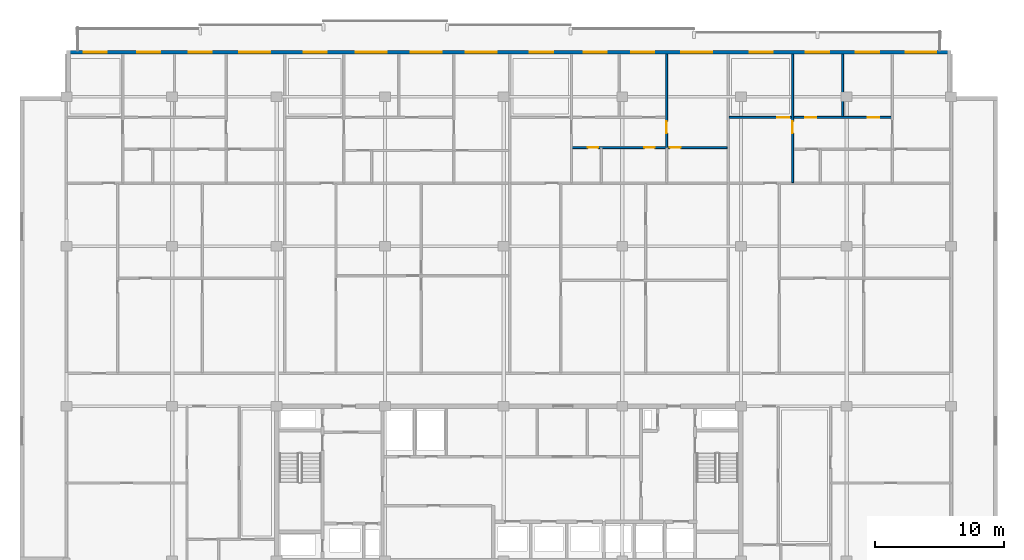
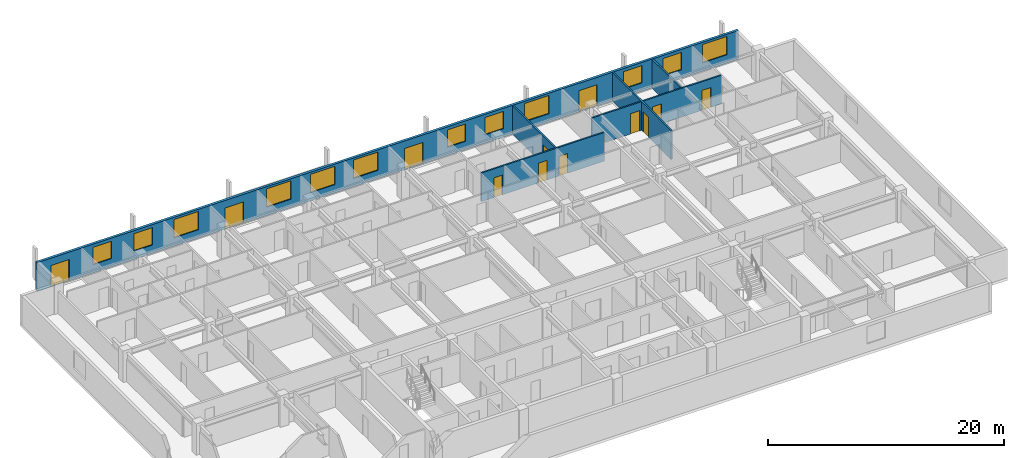
# One storey, part 16 of 24: 12 doors, 12 windows, 6 walls, 24 openings.
"""IFC4 building model written with IfcOpenShell, lengths in metres."""

from ifc_helpers import new_model, si_unit, direction, frame, frame_2d, origin, place, context, subcontext, project, spatial, rectangle, extrude, material, layer, layer_set, type_object, element, fill, save


model = new_model("IFC4")

# Units and contexts
model_context = context("Model", 3, precision=1e-05, world=origin(), true_north=direction((0.0, 1.0)))
body_context = subcontext(model_context, "Body", "Model", "MODEL_VIEW")
ifc_project = project(units=[si_unit("LENGTHUNIT", "METRE"), si_unit("AREAUNIT", "SQUARE_METRE"), si_unit("VOLUMEUNIT", "CUBIC_METRE"), si_unit("PLANEANGLEUNIT", "RADIAN"), si_unit("MASSUNIT", "GRAM", prefix="KILO")], contexts=[model_context])

# Site, building, storey
site_placement = place(None, origin())
site = spatial("IfcSite", under=ifc_project, at=site_placement, CompositionType="ELEMENT")
building_placement = place(site_placement, origin())
building = spatial("IfcBuilding", under=site, at=building_placement, Name="Korimba Cascade Residences", CompositionType="ELEMENT")
storey_placement = place(building_placement, frame((0.0, 0.0, 168.60009765625)))
storey = spatial("IfcBuildingStorey", under=building, at=storey_placement, Name="L48", CompositionType="ELEMENT", Elevation=168.60009765625)

# Wall, openings, doors, windows
ifc_material_1 = material(Name="Precast concrete C40/50", Category="concrete")
ifc_layer_1 = layer(ifc_material_1, 0.25)
ifc_layer_set_1 = layer_set([ifc_layer_1], Name="Precast concrete C40/50")
wall_type_1 = type_object("IfcWallType", Name="EW-LOG-250", PredefinedType="STANDARD", material=ifc_layer_set_1)
wall_1_placement = place(storey_placement, frame((128.39990234375, 94.64990234375, 0.0), z_axis=(0.0, 0.0, 1.0), x_axis=(-1.0, 0.0, 0.0)))
wall_1 = element("IfcWall", 1, at=wall_1_placement, inside=storey, type_object=wall_type_1, Name="L48 T1 Perimeter Stone Wall E06", PredefinedType="STANDARD", context=body_context, shape_type="SweptSolid", body=[
    extrude(rectangle(XDim=68.599853515625, YDim=0.25, at=frame_2d((34.2998046875, 0.0))), origin(), (0.0, 0.0, 1.0), 2.969970703125),
])
opening_1_placement = place(wall_1_placement, frame((61.326416015625, 0.0, 0.85009765625)))
opening_1 = element("IfcOpeningElement", 2, at=opening_1_placement, cuts=wall_1, Name="Opening W-02", PredefinedType="OPENING", context=body_context, shape_type="SweptSolid", body=[
    extrude(rectangle(XDim=1.800048828125, YDim=1.800048828125, at=frame_2d((0.89990234375, 0.89990234375))), frame((0.0, 0.135009765625, 0.0), z_axis=(0.0, -1.0, 0.0), x_axis=(1.0, 0.0, 0.0)), (0.0, 0.0, 1.0), 0.27001953125),
])
opening_2_placement = place(wall_1_placement, frame((57.318603515625, 0.0, 0.85009765625)))
opening_2 = element("IfcOpeningElement", 3, at=opening_2_placement, cuts=wall_1, Name="Opening W-02", PredefinedType="OPENING", context=body_context, shape_type="SweptSolid", body=[
    extrude(rectangle(XDim=1.800048828125, YDim=1.800048828125, at=frame_2d((0.89990234375, 0.89990234375))), frame((0.0, 0.135009765625, 0.0), z_axis=(0.0, -1.0, 0.0), x_axis=(1.0, 0.0, 0.0)), (0.0, 0.0, 1.0), 0.27001953125),
])
opening_3_placement = place(wall_1_placement, frame((65.455078125, 0.0, 0.0)))
opening_3 = element("IfcOpeningElement", 4, at=opening_3_placement, cuts=wall_1, Name="Opening D-LG1", PredefinedType="OPENING", context=body_context, shape_type="SweptSolid", body=[
    extrude(rectangle(XDim=1.800048828125, YDim=2.199951171875, at=frame_2d((0.89990234375, 1.10009765625))), frame((0.0, 0.135009765625, 0.0), z_axis=(0.0, -1.0, 0.0), x_axis=(1.0, 0.0, 0.0)), (0.0, 0.0, 1.0), 0.27001953125),
])
opening_4_placement = place(wall_1_placement, frame((52.7998046875, 0.0, 0.85009765625)))
opening_4 = element("IfcOpeningElement", 5, at=opening_4_placement, cuts=wall_1, Name="Opening W-01", PredefinedType="OPENING", context=body_context, shape_type="SweptSolid", body=[
    extrude(rectangle(XDim=2.39990234375, YDim=1.89990234375, at=frame_2d((1.199951171875, 0.949951171875))), frame((0.0, 0.135009765625, 0.0), z_axis=(0.0, -1.0, 0.0), x_axis=(1.0, 0.0, 0.0)), (0.0, 0.0, 1.0), 0.27001953125),
])
opening_5_placement = place(wall_1_placement, frame((43.75244140625, 0.0, 0.85009765625)))
opening_5 = element("IfcOpeningElement", 6, at=opening_5_placement, cuts=wall_1, Name="Opening W-01", PredefinedType="OPENING", context=body_context, shape_type="SweptSolid", body=[
    extrude(rectangle(XDim=2.39990234375, YDim=1.89990234375, at=frame_2d((1.199951171875, 0.949951171875))), frame((0.0, 0.135009765625, 0.0), z_axis=(0.0, -1.0, 0.0), x_axis=(1.0, 0.0, 0.0)), (0.0, 0.0, 1.0), 0.27001953125),
])
opening_6_placement = place(wall_1_placement, frame((39.487548828125, 0.0, 0.85009765625)))
opening_6 = element("IfcOpeningElement", 7, at=opening_6_placement, cuts=wall_1, Name="Opening W-01", PredefinedType="OPENING", context=body_context, shape_type="SweptSolid", body=[
    extrude(rectangle(XDim=2.39990234375, YDim=1.89990234375, at=frame_2d((1.199951171875, 0.949951171875))), frame((0.0, 0.135009765625, 0.0), z_axis=(0.0, -1.0, 0.0), x_axis=(1.0, 0.0, 0.0)), (0.0, 0.0, 1.0), 0.27001953125),
])
opening_7_placement = place(wall_1_placement, frame((48.414794921875, 0.0, 0.0)))
opening_7 = element("IfcOpeningElement", 8, at=opening_7_placement, cuts=wall_1, Name="Opening D-LG1", PredefinedType="OPENING", context=body_context, shape_type="SweptSolid", body=[
    extrude(rectangle(XDim=1.800048828125, YDim=2.199951171875, at=frame_2d((0.89990234375, 1.10009765625))), frame((0.0, 0.135009765625, 0.0), z_axis=(0.0, -1.0, 0.0), x_axis=(1.0, 0.0, 0.0)), (0.0, 0.0, 1.0), 0.27001953125),
])
opening_8_placement = place(wall_1_placement, frame((35.25, 0.0, 0.85009765625)))
opening_8 = element("IfcOpeningElement", 9, at=opening_8_placement, cuts=wall_1, Name="Opening W-01", PredefinedType="OPENING", context=body_context, shape_type="SweptSolid", body=[
    extrude(rectangle(XDim=2.39990234375, YDim=1.89990234375, at=frame_2d((1.199951171875, 0.949951171875))), frame((0.0, 0.135009765625, 0.0), z_axis=(0.0, -1.0, 0.0), x_axis=(1.0, 0.0, 0.0)), (0.0, 0.0, 1.0), 0.27001953125),
])
opening_9_placement = place(wall_1_placement, frame((26.691162109375, 0.0, 0.85009765625)))
opening_9 = element("IfcOpeningElement", 10, at=opening_9_placement, cuts=wall_1, Name="Opening W-02", PredefinedType="OPENING", context=body_context, shape_type="SweptSolid", body=[
    extrude(rectangle(XDim=1.800048828125, YDim=1.800048828125, at=frame_2d((0.89990234375, 0.89990234375))), frame((0.0, 0.135009765625, 0.0), z_axis=(0.0, -1.0, 0.0), x_axis=(1.0, 0.0, 0.0)), (0.0, 0.0, 1.0), 0.27001953125),
])
opening_10_placement = place(wall_1_placement, frame((23.003662109375, 0.0, 0.85009765625)))
opening_10 = element("IfcOpeningElement", 11, at=opening_10_placement, cuts=wall_1, Name="Opening W-02", PredefinedType="OPENING", context=body_context, shape_type="SweptSolid", body=[
    extrude(rectangle(XDim=1.800048828125, YDim=1.800048828125, at=frame_2d((0.89990234375, 0.89990234375))), frame((0.0, 0.135009765625, 0.0), z_axis=(0.0, -1.0, 0.0), x_axis=(1.0, 0.0, 0.0)), (0.0, 0.0, 1.0), 0.27001953125),
])
opening_11_placement = place(wall_1_placement, frame((30.8701171875, 0.0, 0.0)))
opening_11 = element("IfcOpeningElement", 12, at=opening_11_placement, cuts=wall_1, Name="Opening D-LG1", PredefinedType="OPENING", context=body_context, shape_type="SweptSolid", body=[
    extrude(rectangle(XDim=1.800048828125, YDim=2.199951171875, at=frame_2d((0.89990234375, 1.10009765625))), frame((0.0, 0.135009765625, 0.0), z_axis=(0.0, -1.0, 0.0), x_axis=(1.0, 0.0, 0.0)), (0.0, 0.0, 1.0), 0.27001953125),
])
opening_12_placement = place(wall_1_placement, frame((18.534912109375, 0.0, 0.85009765625)))
opening_12 = element("IfcOpeningElement", 13, at=opening_12_placement, cuts=wall_1, Name="Opening W-01", PredefinedType="OPENING", context=body_context, shape_type="SweptSolid", body=[
    extrude(rectangle(XDim=2.39990234375, YDim=1.89990234375, at=frame_2d((1.199951171875, 0.949951171875))), frame((0.0, 0.135009765625, 0.0), z_axis=(0.0, -1.0, 0.0), x_axis=(1.0, 0.0, 0.0)), (0.0, 0.0, 1.0), 0.27001953125),
])
opening_13_placement = place(wall_1_placement, frame((9.454833984375, 0.0, 0.85009765625)))
opening_13 = element("IfcOpeningElement", 14, at=opening_13_placement, cuts=wall_1, Name="Opening W-02", PredefinedType="OPENING", context=body_context, shape_type="SweptSolid", body=[
    extrude(rectangle(XDim=1.800048828125, YDim=1.800048828125, at=frame_2d((0.89990234375, 0.89990234375))), frame((0.0, 0.135009765625, 0.0), z_axis=(0.0, -1.0, 0.0), x_axis=(1.0, 0.0, 0.0)), (0.0, 0.0, 1.0), 0.27001953125),
])
opening_14_placement = place(wall_1_placement, frame((5.5849609375, 0.0, 0.85009765625)))
opening_14 = element("IfcOpeningElement", 15, at=opening_14_placement, cuts=wall_1, Name="Opening W-02", PredefinedType="OPENING", context=body_context, shape_type="SweptSolid", body=[
    extrude(rectangle(XDim=1.800048828125, YDim=1.800048828125, at=frame_2d((0.89990234375, 0.89990234375))), frame((0.0, 0.135009765625, 0.0), z_axis=(0.0, -1.0, 0.0), x_axis=(1.0, 0.0, 0.0)), (0.0, 0.0, 1.0), 0.27001953125),
])
opening_15_placement = place(wall_1_placement, frame((13.829833984375, 0.0, 0.0)))
opening_15 = element("IfcOpeningElement", 16, at=opening_15_placement, cuts=wall_1, Name="Opening D-LG1", PredefinedType="OPENING", context=body_context, shape_type="SweptSolid", body=[
    extrude(rectangle(XDim=1.800048828125, YDim=2.199951171875, at=frame_2d((0.89990234375, 1.10009765625))), frame((0.0, 0.135009765625, 0.0), z_axis=(0.0, -1.0, 0.0), x_axis=(1.0, 0.0, 0.0)), (0.0, 0.0, 1.0), 0.27001953125),
])
opening_16_placement = place(wall_1_placement, frame((1.135009765625, 0.0, 0.85009765625)))
opening_16 = element("IfcOpeningElement", 17, at=opening_16_placement, cuts=wall_1, Name="Opening W-01", PredefinedType="OPENING", context=body_context, shape_type="SweptSolid", body=[
    extrude(rectangle(XDim=2.39990234375, YDim=1.89990234375, at=frame_2d((1.199951171875, 0.949951171875))), frame((0.0, 0.135009765625, 0.0), z_axis=(0.0, -1.0, 0.0), x_axis=(1.0, 0.0, 0.0)), (0.0, 0.0, 1.0), 0.27001953125),
])
ifc_material_2 = material(Name="Glazed Aluminium Loggia Sliding Door", Category="aluminium")
door_type_1 = type_object("IfcDoorType", Name="DR-EXT-LOG", OperationType="NOTDEFINED", PredefinedType="DOOR", material=ifc_material_2)
door_1_placement = place(opening_3_placement, origin())
door_1 = element("IfcDoor", 18, at=door_1_placement, inside=storey, type_object=door_type_1, Name="L48 T1 Loggia Sliding Door 5", OperationType="SLIDING_TO_LEFT", OverallHeight=2.199951171875, OverallWidth=1.800048828125, PredefinedType="DOOR", context=body_context, shape_type="SweptSolid", body=[
    extrude(rectangle(XDim=1.800048828125, YDim=2.199951171875, at=frame_2d((0.89990234375, 1.10009765625))), frame((0.0, 0.02490234375, 0.0), z_axis=(0.0, -1.0, 0.0), x_axis=(1.0, 0.0, 0.0)), (0.0, 0.0, 1.0), 0.050048828125),
])
fill(opening_3, door_1)
door_2_placement = place(opening_7_placement, origin())
door_2 = element("IfcDoor", 19, at=door_2_placement, inside=storey, type_object=door_type_1, Name="L48 T1 Loggia Sliding Door 9", OperationType="SLIDING_TO_LEFT", OverallHeight=2.199951171875, OverallWidth=1.800048828125, PredefinedType="DOOR", context=body_context, shape_type="SweptSolid", body=[
    extrude(rectangle(XDim=1.800048828125, YDim=2.199951171875, at=frame_2d((0.89990234375, 1.10009765625))), frame((0.0, 0.02490234375, 0.0), z_axis=(0.0, -1.0, 0.0), x_axis=(1.0, 0.0, 0.0)), (0.0, 0.0, 1.0), 0.050048828125),
])
fill(opening_7, door_2)
door_3_placement = place(opening_11_placement, origin())
door_3 = element("IfcDoor", 20, at=door_3_placement, inside=storey, type_object=door_type_1, Name="L48 T1 Loggia Sliding Door 13", OperationType="SLIDING_TO_LEFT", OverallHeight=2.199951171875, OverallWidth=1.800048828125, PredefinedType="DOOR", context=body_context, shape_type="SweptSolid", body=[
    extrude(rectangle(XDim=1.800048828125, YDim=2.199951171875, at=frame_2d((0.89990234375, 1.10009765625))), frame((0.0, 0.02490234375, 0.0), z_axis=(0.0, -1.0, 0.0), x_axis=(1.0, 0.0, 0.0)), (0.0, 0.0, 1.0), 0.050048828125),
])
fill(opening_11, door_3)
door_4_placement = place(opening_15_placement, origin())
door_4 = element("IfcDoor", 21, at=door_4_placement, inside=storey, type_object=door_type_1, Name="L48 T1 Loggia Sliding Door 17", OperationType="SLIDING_TO_LEFT", OverallHeight=2.199951171875, OverallWidth=1.800048828125, PredefinedType="DOOR", context=body_context, shape_type="SweptSolid", body=[
    extrude(rectangle(XDim=1.800048828125, YDim=2.199951171875, at=frame_2d((0.89990234375, 1.10009765625))), frame((0.0, 0.02490234375, 0.0), z_axis=(0.0, -1.0, 0.0), x_axis=(1.0, 0.0, 0.0)), (0.0, 0.0, 1.0), 0.050048828125),
])
fill(opening_15, door_4)
ifc_material_3 = material(Name="Double-Glazed Aluminium Window", Category="aluminium")
window_type_1 = type_object("IfcWindowType", Name="WIN-BED-1800", PartitioningType="SINGLE_PANEL", PredefinedType="WINDOW", material=ifc_material_3)
window_1_placement = place(opening_1_placement, origin())
window_1 = element("IfcWindow", 22, at=window_1_placement, inside=storey, type_object=window_type_1, Name="L48 T1 North Facade Window 3", OverallHeight=1.800048828125, OverallWidth=1.800048828125, PartitioningType="SINGLE_PANEL", PredefinedType="WINDOW", context=body_context, shape_type="SweptSolid", body=[
    extrude(rectangle(XDim=1.800048828125, YDim=1.800048828125, at=frame_2d((0.89990234375, 0.89990234375))), frame((0.0, 0.030029296875, 0.0), z_axis=(0.0, -1.0, 0.0), x_axis=(1.0, 0.0, 0.0)), (0.0, 0.0, 1.0), 0.06005859375),
])
fill(opening_1, window_1)
window_2_placement = place(opening_2_placement, origin())
window_2 = element("IfcWindow", 23, at=window_2_placement, inside=storey, type_object=window_type_1, Name="L48 T1 North Facade Window 4", OverallHeight=1.800048828125, OverallWidth=1.800048828125, PartitioningType="SINGLE_PANEL", PredefinedType="WINDOW", context=body_context, shape_type="SweptSolid", body=[
    extrude(rectangle(XDim=1.800048828125, YDim=1.800048828125, at=frame_2d((0.89990234375, 0.89990234375))), frame((0.0, 0.030029296875, 0.0), z_axis=(0.0, -1.0, 0.0), x_axis=(1.0, 0.0, 0.0)), (0.0, 0.0, 1.0), 0.06005859375),
])
fill(opening_2, window_2)
window_3_placement = place(opening_9_placement, origin())
window_3 = element("IfcWindow", 24, at=window_3_placement, inside=storey, type_object=window_type_1, Name="L48 T1 North Facade Window 11", OverallHeight=1.800048828125, OverallWidth=1.800048828125, PartitioningType="SINGLE_PANEL", PredefinedType="WINDOW", context=body_context, shape_type="SweptSolid", body=[
    extrude(rectangle(XDim=1.800048828125, YDim=1.800048828125, at=frame_2d((0.89990234375, 0.89990234375))), frame((0.0, 0.030029296875, 0.0), z_axis=(0.0, -1.0, 0.0), x_axis=(1.0, 0.0, 0.0)), (0.0, 0.0, 1.0), 0.06005859375),
])
fill(opening_9, window_3)
window_4_placement = place(opening_10_placement, origin())
window_4 = element("IfcWindow", 25, at=window_4_placement, inside=storey, type_object=window_type_1, Name="L48 T1 North Facade Window 12", OverallHeight=1.800048828125, OverallWidth=1.800048828125, PartitioningType="SINGLE_PANEL", PredefinedType="WINDOW", context=body_context, shape_type="SweptSolid", body=[
    extrude(rectangle(XDim=1.800048828125, YDim=1.800048828125, at=frame_2d((0.89990234375, 0.89990234375))), frame((0.0, 0.030029296875, 0.0), z_axis=(0.0, -1.0, 0.0), x_axis=(1.0, 0.0, 0.0)), (0.0, 0.0, 1.0), 0.06005859375),
])
fill(opening_10, window_4)
window_5_placement = place(opening_13_placement, origin())
window_5 = element("IfcWindow", 26, at=window_5_placement, inside=storey, type_object=window_type_1, Name="L48 T1 North Facade Window 15", OverallHeight=1.800048828125, OverallWidth=1.800048828125, PartitioningType="SINGLE_PANEL", PredefinedType="WINDOW", context=body_context, shape_type="SweptSolid", body=[
    extrude(rectangle(XDim=1.800048828125, YDim=1.800048828125, at=frame_2d((0.89990234375, 0.89990234375))), frame((0.0, 0.030029296875, 0.0), z_axis=(0.0, -1.0, 0.0), x_axis=(1.0, 0.0, 0.0)), (0.0, 0.0, 1.0), 0.06005859375),
])
fill(opening_13, window_5)
window_6_placement = place(opening_14_placement, origin())
window_6 = element("IfcWindow", 27, at=window_6_placement, inside=storey, type_object=window_type_1, Name="L48 T1 North Facade Window 16", OverallHeight=1.800048828125, OverallWidth=1.800048828125, PartitioningType="SINGLE_PANEL", PredefinedType="WINDOW", context=body_context, shape_type="SweptSolid", body=[
    extrude(rectangle(XDim=1.800048828125, YDim=1.800048828125, at=frame_2d((0.89990234375, 0.89990234375))), frame((0.0, 0.030029296875, 0.0), z_axis=(0.0, -1.0, 0.0), x_axis=(1.0, 0.0, 0.0)), (0.0, 0.0, 1.0), 0.06005859375),
])
fill(opening_14, window_6)
window_type_2 = type_object("IfcWindowType", Name="WIN-RES-2400", PartitioningType="DOUBLE_PANEL_VERTICAL", PredefinedType="WINDOW", material=ifc_material_3)
window_7_placement = place(opening_4_placement, origin())
window_7 = element("IfcWindow", 28, at=window_7_placement, inside=storey, type_object=window_type_2, Name="L48 T1 North Facade Window 6", OverallHeight=1.89990234375, OverallWidth=2.39990234375, PartitioningType="DOUBLE_PANEL_VERTICAL", PredefinedType="WINDOW", context=body_context, shape_type="SweptSolid", body=[
    extrude(rectangle(XDim=2.39990234375, YDim=1.89990234375, at=frame_2d((1.199951171875, 0.949951171875))), frame((0.0, 0.030029296875, 0.0), z_axis=(0.0, -1.0, 0.0), x_axis=(1.0, 0.0, 0.0)), (0.0, 0.0, 1.0), 0.06005859375),
])
fill(opening_4, window_7)
window_8_placement = place(opening_5_placement, origin())
window_8 = element("IfcWindow", 29, at=window_8_placement, inside=storey, type_object=window_type_2, Name="L48 T1 North Facade Window 7", OverallHeight=1.89990234375, OverallWidth=2.39990234375, PartitioningType="DOUBLE_PANEL_VERTICAL", PredefinedType="WINDOW", context=body_context, shape_type="SweptSolid", body=[
    extrude(rectangle(XDim=2.39990234375, YDim=1.89990234375, at=frame_2d((1.199951171875, 0.949951171875))), frame((0.0, 0.030029296875, 0.0), z_axis=(0.0, -1.0, 0.0), x_axis=(1.0, 0.0, 0.0)), (0.0, 0.0, 1.0), 0.06005859375),
])
fill(opening_5, window_8)
window_9_placement = place(opening_6_placement, origin())
window_9 = element("IfcWindow", 30, at=window_9_placement, inside=storey, type_object=window_type_2, Name="L48 T1 North Facade Window 8", OverallHeight=1.89990234375, OverallWidth=2.39990234375, PartitioningType="DOUBLE_PANEL_VERTICAL", PredefinedType="WINDOW", context=body_context, shape_type="SweptSolid", body=[
    extrude(rectangle(XDim=2.39990234375, YDim=1.89990234375, at=frame_2d((1.199951171875, 0.949951171875))), frame((0.0, 0.030029296875, 0.0), z_axis=(0.0, -1.0, 0.0), x_axis=(1.0, 0.0, 0.0)), (0.0, 0.0, 1.0), 0.06005859375),
])
fill(opening_6, window_9)
window_10_placement = place(opening_8_placement, origin())
window_10 = element("IfcWindow", 31, at=window_10_placement, inside=storey, type_object=window_type_2, Name="L48 T1 North Facade Window 10", OverallHeight=1.89990234375, OverallWidth=2.39990234375, PartitioningType="DOUBLE_PANEL_VERTICAL", PredefinedType="WINDOW", context=body_context, shape_type="SweptSolid", body=[
    extrude(rectangle(XDim=2.39990234375, YDim=1.89990234375, at=frame_2d((1.199951171875, 0.949951171875))), frame((0.0, 0.030029296875, 0.0), z_axis=(0.0, -1.0, 0.0), x_axis=(1.0, 0.0, 0.0)), (0.0, 0.0, 1.0), 0.06005859375),
])
fill(opening_8, window_10)
window_11_placement = place(opening_12_placement, origin())
window_11 = element("IfcWindow", 32, at=window_11_placement, inside=storey, type_object=window_type_2, Name="L48 T1 North Facade Window 14", OverallHeight=1.89990234375, OverallWidth=2.39990234375, PartitioningType="DOUBLE_PANEL_VERTICAL", PredefinedType="WINDOW", context=body_context, shape_type="SweptSolid", body=[
    extrude(rectangle(XDim=2.39990234375, YDim=1.89990234375, at=frame_2d((1.199951171875, 0.949951171875))), frame((0.0, 0.030029296875, 0.0), z_axis=(0.0, -1.0, 0.0), x_axis=(1.0, 0.0, 0.0)), (0.0, 0.0, 1.0), 0.06005859375),
])
fill(opening_12, window_11)
window_12_placement = place(opening_16_placement, origin())
window_12 = element("IfcWindow", 33, at=window_12_placement, inside=storey, type_object=window_type_2, Name="L48 T1 North Facade Window 18", OverallHeight=1.89990234375, OverallWidth=2.39990234375, PartitioningType="DOUBLE_PANEL_VERTICAL", PredefinedType="WINDOW", context=body_context, shape_type="SweptSolid", body=[
    extrude(rectangle(XDim=2.39990234375, YDim=1.89990234375, at=frame_2d((1.199951171875, 0.949951171875))), frame((0.0, 0.030029296875, 0.0), z_axis=(0.0, -1.0, 0.0), x_axis=(1.0, 0.0, 0.0)), (0.0, 0.0, 1.0), 0.06005859375),
])
fill(opening_16, window_12)

# Wall, opening, door
ifc_material_4 = material(Name="Insulated Acoustic Stud Partition", Category="gypsum")
ifc_layer_2 = layer(ifc_material_4, 0.14990234375)
ifc_layer_set_2 = layer_set([ifc_layer_2], Name="Insulated Acoustic Stud Partition")
wall_type_2 = type_object("IfcWallType", Name="WAL-PART-150", PredefinedType="PARTITIONING", material=ifc_layer_set_2)
wall_2_placement = place(storey_placement, frame((106.340087890625, 87.27001953125, 0.0), z_axis=(0.0, 0.0, 1.0), x_axis=(0.0, 1.0, 0.0)))
wall_2 = element("IfcWall", 34, at=wall_2_placement, inside=storey, type_object=wall_type_2, Name="L48 Partition Wall WAL-L48-T1-U03-V2FULL", PredefinedType="PARTITIONING", context=body_context, shape_type="SweptSolid", body=[
    extrude(rectangle(XDim=7.22998046875, YDim=0.14990234375, at=frame_2d((3.614990234375, 0.0))), origin(), (0.0, 0.0, 1.0), 2.969970703125),
])
opening_17_placement = place(wall_2_placement, frame((1.090087890625, 0.0, 0.0)))
opening_17 = element("IfcOpeningElement", 35, at=opening_17_placement, cuts=wall_2, Name="Opening D-IN1", PredefinedType="OPENING", context=body_context, shape_type="SweptSolid", body=[
    extrude(rectangle(XDim=0.919921875, YDim=2.080078125, at=frame_2d((0.4599609375, 1.0400390625))), frame((0.0, 0.0849609375, 0.0), z_axis=(0.0, -1.0, 0.0), x_axis=(1.0, 0.0, 0.0)), (0.0, 0.0, 1.0), 0.169921875),
])
ifc_material_5 = material(Name="Acoustic Timber Living Door", Category="wood")
door_type_2 = type_object("IfcDoorType", Name="DR-INT-920", OperationType="NOTDEFINED", PredefinedType="DOOR", material=ifc_material_5)
door_5_placement = place(opening_17_placement, origin())
door_5 = element("IfcDoor", 36, at=door_5_placement, inside=storey, type_object=door_type_2, Name="L48-T1-U03 Master Bedroom Door", OperationType="SINGLE_SWING_LEFT", OverallHeight=2.080078125, OverallWidth=0.919921875, PredefinedType="DOOR", context=body_context, shape_type="SweptSolid", body=[
    extrude(rectangle(XDim=0.919921875, YDim=2.080078125, at=frame_2d((0.4599609375, 1.0400390625))), frame((0.0, 0.02490234375, 0.0), z_axis=(0.0, -1.0, 0.0), x_axis=(1.0, 0.0, 0.0)), (0.0, 0.0, 1.0), 0.050048828125),
])
fill(opening_17, door_5)

# Wall, openings, doors
wall_3_placement = place(storey_placement, frame((99.0048828125, 87.25, 0.0), z_axis=(0.0, 0.0, 1.0), x_axis=(1.0, 0.0, 0.0)))
wall_3 = element("IfcWall", 37, at=wall_3_placement, inside=storey, type_object=wall_type_2, Name="L48 Partition Wall WAL-L48-T1-U03-HWALL", PredefinedType="PARTITIONING", context=body_context, shape_type="SweptSolid", body=[
    extrude(rectangle(XDim=12.025146484375, YDim=0.14990234375, at=frame_2d((6.0126953125, 0.0))), origin(), (0.0, 0.0, 1.0), 2.969970703125),
])
opening_18_placement = place(wall_3_placement, frame((1.2099609375, 0.0, 0.0)))
opening_18 = element("IfcOpeningElement", 38, at=opening_18_placement, cuts=wall_3, Name="Opening D-BT1", PredefinedType="OPENING", context=body_context, shape_type="SweptSolid", body=[
    extrude(rectangle(XDim=0.840087890625, YDim=2.0400390625, at=frame_2d((0.419921875, 1.02001953125))), frame((0.0, 0.0849609375, 0.0), z_axis=(0.0, -1.0, 0.0), x_axis=(1.0, 0.0, 0.0)), (0.0, 0.0, 1.0), 0.169921875),
])
opening_19_placement = place(wall_3_placement, frame((5.592529296875, 0.0, 0.0)))
opening_19 = element("IfcOpeningElement", 39, at=opening_19_placement, cuts=wall_3, Name="Opening D-BT1", PredefinedType="OPENING", context=body_context, shape_type="SweptSolid", body=[
    extrude(rectangle(XDim=0.840087890625, YDim=2.0400390625, at=frame_2d((0.419921875, 1.02001953125))), frame((0.0, 0.0849609375, 0.0), z_axis=(0.0, -1.0, 0.0), x_axis=(1.0, 0.0, 0.0)), (0.0, 0.0, 1.0), 0.169921875),
])
opening_20_placement = place(wall_3_placement, frame((7.585205078125, 0.0, 0.0)))
opening_20 = element("IfcOpeningElement", 40, at=opening_20_placement, cuts=wall_3, Name="Opening D-BT1", PredefinedType="OPENING", context=body_context, shape_type="SweptSolid", body=[
    extrude(rectangle(XDim=0.840087890625, YDim=2.0400390625, at=frame_2d((0.419921875, 1.02001953125))), frame((0.0, 0.0849609375, 0.0), z_axis=(0.0, -1.0, 0.0), x_axis=(1.0, 0.0, 0.0)), (0.0, 0.0, 1.0), 0.169921875),
])
ifc_material_6 = material(Name="Moisture-Resistant Bathroom Timber Door", Category="wood")
door_type_3 = type_object("IfcDoorType", Name="DR-INT-850", OperationType="NOTDEFINED", PredefinedType="DOOR", material=ifc_material_6)
door_6_placement = place(opening_18_placement, origin())
door_6 = element("IfcDoor", 41, at=door_6_placement, inside=storey, type_object=door_type_3, Name="L48-T1-U03 Family Bathroom Door", OperationType="SINGLE_SWING_RIGHT", OverallHeight=2.0400390625, OverallWidth=0.840087890625, PredefinedType="DOOR", context=body_context, shape_type="SweptSolid", body=[
    extrude(rectangle(XDim=0.840087890625, YDim=2.0400390625, at=frame_2d((0.419921875, 1.02001953125))), frame((0.0, 0.02490234375, 0.0), z_axis=(0.0, -1.0, 0.0), x_axis=(1.0, 0.0, 0.0)), (0.0, 0.0, 1.0), 0.050048828125),
])
fill(opening_18, door_6)
door_7_placement = place(opening_19_placement, origin())
door_7 = element("IfcDoor", 42, at=door_7_placement, inside=storey, type_object=door_type_3, Name="L48-T1-U03 Dressing Room Door", OperationType="SINGLE_SWING_LEFT", OverallHeight=2.0400390625, OverallWidth=0.840087890625, PredefinedType="DOOR", context=body_context, shape_type="SweptSolid", body=[
    extrude(rectangle(XDim=0.840087890625, YDim=2.0400390625, at=frame_2d((0.419921875, 1.02001953125))), frame((0.0, 0.02490234375, 0.0), z_axis=(0.0, -1.0, 0.0), x_axis=(1.0, 0.0, 0.0)), (0.0, 0.0, 1.0), 0.050048828125),
])
fill(opening_19, door_7)
door_8_placement = place(opening_20_placement, origin())
door_8 = element("IfcDoor", 43, at=door_8_placement, inside=storey, type_object=door_type_3, Name="L48-T1-U03 En-Suite Door", OperationType="SINGLE_SWING_RIGHT", OverallHeight=2.0400390625, OverallWidth=0.840087890625, PredefinedType="DOOR", context=body_context, shape_type="SweptSolid", body=[
    extrude(rectangle(XDim=0.840087890625, YDim=2.0400390625, at=frame_2d((0.419921875, 1.02001953125))), frame((0.0, 0.02490234375, 0.0), z_axis=(0.0, -1.0, 0.0), x_axis=(1.0, 0.0, 0.0)), (0.0, 0.0, 1.0), 0.050048828125),
])
fill(opening_20, door_8)

# Wall
wall_4_placement = place(storey_placement, frame((119.97998046875, 89.679931640625, 0.0), z_axis=(0.0, 0.0, 1.0), x_axis=(0.0, 1.0, 0.0)))
element("IfcWall", 44, at=wall_4_placement, inside=storey, type_object=wall_type_2, Name="L48 Partition Wall WAL-L48-T1-U04-VB3", PredefinedType="PARTITIONING", context=body_context, shape_type="SweptSolid", body=[
    extrude(rectangle(XDim=4.820068359375, YDim=0.14990234375, at=frame_2d((2.41015625, 0.0))), origin(), (0.0, 0.0, 1.0), 2.969970703125),
])

# Wall, opening, door
wall_5_placement = place(storey_placement, frame((116.110107421875, 84.5400390625, 0.0), z_axis=(0.0, 0.0, 1.0), x_axis=(0.0, 1.0, 0.0)))
wall_5 = element("IfcWall", 45, at=wall_5_placement, inside=storey, type_object=wall_type_2, Name="L48 Partition Wall WAL-L48-T1-U04-V1", PredefinedType="PARTITIONING", context=body_context, shape_type="SweptSolid", body=[
    extrude(rectangle(XDim=9.9599609375, YDim=0.14990234375, at=frame_2d((4.97998046875, 0.0))), origin(), (0.0, 0.0, 1.0), 2.969970703125),
])
opening_21_placement = place(wall_5_placement, frame((3.820068359375, 0.0, 0.0)))
opening_21 = element("IfcOpeningElement", 46, at=opening_21_placement, cuts=wall_5, Name="Opening D-IN1", PredefinedType="OPENING", context=body_context, shape_type="SweptSolid", body=[
    extrude(rectangle(XDim=0.919921875, YDim=2.080078125, at=frame_2d((0.4599609375, 1.0400390625))), frame((0.0, 0.0849609375, 0.0), z_axis=(0.0, -1.0, 0.0), x_axis=(1.0, 0.0, 0.0)), (0.0, 0.0, 1.0), 0.169921875),
])
door_9_placement = place(opening_21_placement, origin())
door_9 = element("IfcDoor", 47, at=door_9_placement, inside=storey, type_object=door_type_2, Name="L48-T1-U04 Hallway Door", OperationType="SINGLE_SWING_LEFT", OverallHeight=2.080078125, OverallWidth=0.919921875, PredefinedType="DOOR", context=body_context, shape_type="SweptSolid", body=[
    extrude(rectangle(XDim=0.919921875, YDim=2.080078125, at=frame_2d((0.4599609375, 1.0400390625))), frame((0.0, 0.02490234375, 0.0), z_axis=(0.0, -1.0, 0.0), x_axis=(1.0, 0.0, 0.0)), (0.0, 0.0, 1.0), 0.050048828125),
])
fill(opening_21, door_9)

# Wall, openings, doors
wall_6_placement = place(storey_placement, frame((111.190185546875, 89.60009765625, 0.0), z_axis=(0.0, 0.0, 1.0), x_axis=(1.0, 0.0, 0.0)))
wall_6 = element("IfcWall", 48, at=wall_6_placement, inside=storey, type_object=wall_type_2, Name="L48 Partition Wall WAL-L48-T1-U04-HZ", PredefinedType="PARTITIONING", context=body_context, shape_type="SweptSolid", body=[
    extrude(rectangle(XDim=12.659912109375, YDim=0.14990234375, at=frame_2d((6.330078125, 0.0))), origin(), (0.0, 0.0, 1.0), 2.969970703125),
])
opening_22_placement = place(wall_6_placement, frame((3.72998046875, 0.0, 0.0)))
opening_22 = element("IfcOpeningElement", 49, at=opening_22_placement, cuts=wall_6, Name="Opening D-IN0", PredefinedType="OPENING", context=body_context, shape_type="SweptSolid", body=[
    extrude(rectangle(XDim=0.93994140625, YDim=2.10009765625, at=frame_2d((0.469970703125, 1.050048828125))), frame((0.0, 0.0849609375, 0.0), z_axis=(0.0, -1.0, 0.0), x_axis=(1.0, 0.0, 0.0)), (0.0, 0.0, 1.0), 0.169921875),
])
opening_23_placement = place(wall_6_placement, frame((5.889892578125, 0.0, 0.0)))
opening_23 = element("IfcOpeningElement", 50, at=opening_23_placement, cuts=wall_6, Name="Opening D-IN2", PredefinedType="OPENING", context=body_context, shape_type="SweptSolid", body=[
    extrude(rectangle(XDim=0.8798828125, YDim=2.06005859375, at=frame_2d((0.43994140625, 1.030029296875))), frame((0.0, 0.0849609375, 0.0), z_axis=(0.0, -1.0, 0.0), x_axis=(1.0, 0.0, 0.0)), (0.0, 0.0, 1.0), 0.169921875),
])
opening_24_placement = place(wall_6_placement, frame((10.743896484375, 0.0, 0.0)))
opening_24 = element("IfcOpeningElement", 51, at=opening_24_placement, cuts=wall_6, Name="Opening D-IN2", PredefinedType="OPENING", context=body_context, shape_type="SweptSolid", body=[
    extrude(rectangle(XDim=0.8798828125, YDim=2.06005859375, at=frame_2d((0.43994140625, 1.030029296875))), frame((0.0, 0.0849609375, 0.0), z_axis=(0.0, -1.0, 0.0), x_axis=(1.0, 0.0, 0.0)), (0.0, 0.0, 1.0), 0.169921875),
])
ifc_material_7 = material(Name="Acoustic Timber Bedroom Door", Category="wood")
door_type_4 = type_object("IfcDoorType", Name="DR-INT-880", OperationType="NOTDEFINED", PredefinedType="DOOR", material=ifc_material_7)
door_10_placement = place(opening_23_placement, origin())
door_10 = element("IfcDoor", 52, at=door_10_placement, inside=storey, type_object=door_type_4, Name="L48-T1-U04 Bedroom 2 Door", OperationType="SINGLE_SWING_RIGHT", OverallHeight=2.06005859375, OverallWidth=0.8798828125, PredefinedType="DOOR", context=body_context, shape_type="SweptSolid", body=[
    extrude(rectangle(XDim=0.8798828125, YDim=2.06005859375, at=frame_2d((0.43994140625, 1.030029296875))), frame((0.0, 0.02490234375, 0.0), z_axis=(0.0, -1.0, 0.0), x_axis=(1.0, 0.0, 0.0)), (0.0, 0.0, 1.0), 0.050048828125),
])
fill(opening_23, door_10)
door_11_placement = place(opening_24_placement, origin())
door_11 = element("IfcDoor", 53, at=door_11_placement, inside=storey, type_object=door_type_4, Name="L48-T1-U04 Bedroom 3 Door", OperationType="SINGLE_SWING_LEFT", OverallHeight=2.06005859375, OverallWidth=0.8798828125, PredefinedType="DOOR", context=body_context, shape_type="SweptSolid", body=[
    extrude(rectangle(XDim=0.8798828125, YDim=2.06005859375, at=frame_2d((0.43994140625, 1.030029296875))), frame((0.0, 0.02490234375, 0.0), z_axis=(0.0, -1.0, 0.0), x_axis=(1.0, 0.0, 0.0)), (0.0, 0.0, 1.0), 0.050048828125),
])
fill(opening_24, door_11)
ifc_material_8 = material(Name="Acoustic Timber Living Archway Door", Category="wood")
door_type_5 = type_object("IfcDoorType", Name="DR-INT-950", OperationType="NOTDEFINED", PredefinedType="DOOR", material=ifc_material_8)
door_12_placement = place(opening_22_placement, origin())
door_12 = element("IfcDoor", 54, at=door_12_placement, inside=storey, type_object=door_type_5, Name="L48-T1-U04 Living Room Door", OperationType="SINGLE_SWING_LEFT", OverallHeight=2.10009765625, OverallWidth=0.93994140625, PredefinedType="DOOR", context=body_context, shape_type="SweptSolid", body=[
    extrude(rectangle(XDim=0.93994140625, YDim=2.10009765625, at=frame_2d((0.469970703125, 1.050048828125))), frame((0.0, 0.02490234375, 0.0), z_axis=(0.0, -1.0, 0.0), x_axis=(1.0, 0.0, 0.0)), (0.0, 0.0, 1.0), 0.050048828125),
])
fill(opening_22, door_12)

save(model, "model.ifc")
